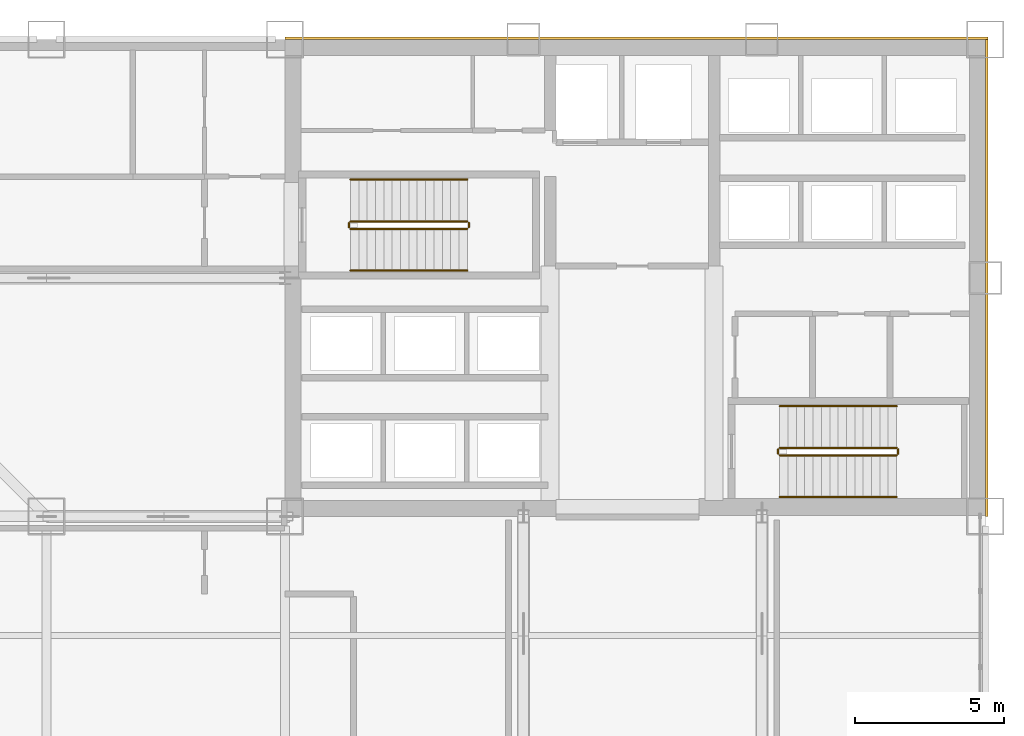
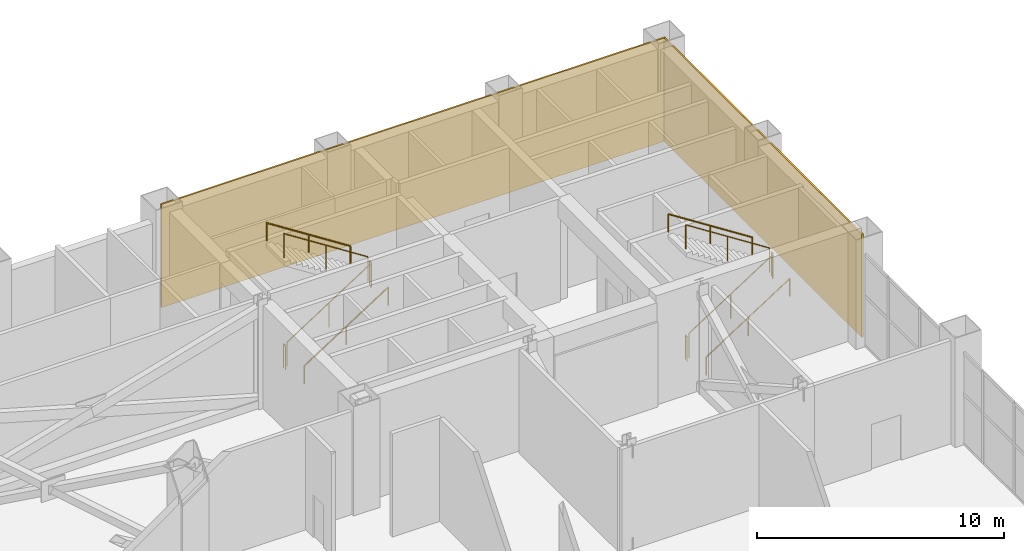
# One storey, part 26 of 26: 12 railings, 2 coverings.
"""IFC4 building model written with IfcOpenShell, lengths in metres."""

import ifcopenshell
import ifcopenshell.guid

model = None  # the IFC model being written
_history = None  # IfcOwnerHistory: only IFC2X3 demands one
_inside = {}  # id of a spatial element -> (the spatial element, [elements in it])
_under = {}  # id of a project, library or spatial element -> (it, [spatial elements below it])
_declared = {}  # id of a project -> (the project, [libraries it declares])
_typed = {}  # id of a type object -> (the type object, [elements of that type])
_made_of = {}  # id of a material, layer set ... -> (it, [elements and type objects made of it])


def new_model(schema):
    """Start an empty IFC model of exactly this schema.

    Asked for "IFC4X3", IfcOpenShell would pick the latest addendum, in which some entities
    have other attributes; the version numbers below select the first issue.
    IFC2X3 requires an IfcOwnerHistory on every rooted entity: one is made here for all.
    """
    global model, _history
    if schema == "IFC4X3":
        model = ifcopenshell.file(schema_version=(4, 3, 0, 0))
    else:
        model = ifcopenshell.file(schema=schema)
    _inside.clear()
    _under.clear()
    _declared.clear()
    _typed.clear()
    _made_of.clear()
    _history = None
    if model.schema == "IFC2X3":
        org = make("IfcOrganization", Name="unknown")
        user = make(
            "IfcPersonAndOrganization",
            ThePerson=make("IfcPerson", FamilyName="unknown"),
            TheOrganization=org,
        )
        app = make(
            "IfcApplication",
            ApplicationDeveloper=org,
            Version="unknown",
            ApplicationFullName="unknown",
            ApplicationIdentifier="unknown",
        )
        _history = make(
            "IfcOwnerHistory",
            OwningUser=user,
            OwningApplication=app,
            ChangeAction="ADDED",
            CreationDate=0,
        )
    return model


def make(cls, **values):
    """One entity of the class cls with the attributes given. An attribute that is None is left unset."""
    return model.create_entity(
        cls, **{name: value for name, value in values.items() if value is not None}
    )


def rooted(cls, **values):
    """An entity with a GlobalId (a new one), such as an element, a storey or a relation."""
    return make(cls, GlobalId=ifcopenshell.guid.new(), OwnerHistory=_history, **values)


def si_unit(unit_type, name, prefix=None):
    """IfcSIUnit, for example si_unit("LENGTHUNIT", "METRE", prefix="MILLI")."""
    return make("IfcSIUnit", UnitType=unit_type, Prefix=prefix, Name=name)


def assignment(units):
    """IfcUnitAssignment: the units of a project."""
    return None if units is None else make("IfcUnitAssignment", Units=units)


def point(xyz):
    """IfcCartesianPoint."""
    return None if xyz is None else make("IfcCartesianPoint", Coordinates=xyz)


def direction(xyz):
    """IfcDirection."""
    return None if xyz is None else make("IfcDirection", DirectionRatios=xyz)


def frame(location, z_axis=None, x_axis=None):
    """IfcAxis2Placement3D, a coordinate frame: its origin and axes. An axis left out is left unset."""
    return make(
        "IfcAxis2Placement3D",
        Location=point(location),
        Axis=direction(z_axis),
        RefDirection=direction(x_axis),
    )


def frame_2d(location, x_axis=None):
    """IfcAxis2Placement2D, a coordinate frame in the plane: its origin and x axis."""
    return make(
        "IfcAxis2Placement2D", Location=point(location), RefDirection=direction(x_axis)
    )


def origin():
    """The frame at (0, 0, 0) with its axes left unset."""
    return frame((0.0, 0.0, 0.0))


def origin_2d():
    """The frame at (0, 0) in the plane with its x axis left unset."""
    return frame_2d((0.0, 0.0))


def place(relative_to, where):
    """IfcLocalPlacement: puts the frame where relative to a parent placement (None: the world)."""
    return make(
        "IfcLocalPlacement", PlacementRelTo=relative_to, RelativePlacement=where
    )


def context(
    kind, dimensions, precision=None, world=None, true_north=None, identifier=None
):
    """IfcGeometricRepresentationContext, for example the 3D "Model" context."""
    return make(
        "IfcGeometricRepresentationContext",
        ContextIdentifier=identifier,
        ContextType=kind,
        CoordinateSpaceDimension=dimensions,
        Precision=precision,
        WorldCoordinateSystem=world,
        TrueNorth=true_north,
    )


def subcontext(parent, identifier, kind, view, scale=None):
    """IfcGeometricRepresentationSubContext, for example "Body" below "Model"."""
    return make(
        "IfcGeometricRepresentationSubContext",
        ContextIdentifier=identifier,
        ContextType=kind,
        ParentContext=parent,
        TargetScale=scale,
        TargetView=view,
    )


def project(units=None, contexts=None):
    """IfcProject with its units and contexts."""
    return rooted(
        "IfcProject",
        Name="project",
        RepresentationContexts=contexts,
        UnitsInContext=assignment(units),
    )


def spatial(cls, under=None, at=None, **own):
    """A site, building, storey or space (cls), placed at a placement, below another one or the project."""
    s = rooted(cls, ObjectPlacement=at, **own)
    if under is not None:
        _under.setdefault(under.id(), (under, []))[1].append(s)
    return s


def profile(cls, at=None, kind="AREA", **sizes):
    """A parametric profile (cls). Its sizes go by their IFC names, for example OverallWidth=200.0."""
    return make(cls, ProfileType=kind, Position=at, **sizes)


def rectangle(**sizes):
    """IfcRectangleProfileDef."""
    return profile("IfcRectangleProfileDef", **sizes)


def circle(**sizes):
    """IfcCircleProfileDef."""
    return profile("IfcCircleProfileDef", **sizes)


def extrude(swept, where, along, depth):
    """IfcExtrudedAreaSolid: the profile swept, set in the frame where, extruded along a direction by depth."""
    return make(
        "IfcExtrudedAreaSolid",
        SweptArea=swept,
        Position=where,
        ExtrudedDirection=direction(along),
        Depth=depth,
    )


def shape(context_of_items, identifier, shape_type, items):
    """IfcShapeRepresentation: the items that make up one representation, for example the "Body"."""
    return make(
        "IfcShapeRepresentation",
        ContextOfItems=context_of_items,
        RepresentationIdentifier=identifier,
        RepresentationType=shape_type,
        Items=items,
    )


def material(Name=None, Category=None):
    """IfcMaterial."""
    return make("IfcMaterial", Name=Name, Category=Category)


def layer(
    of_material, thickness, ventilated=None, Name=None, Category=None, Priority=None
):
    """IfcMaterialLayer: one layer of a wall or slab, of a material (None: an air gap)."""
    return make(
        "IfcMaterialLayer",
        Material=of_material,
        LayerThickness=thickness,
        IsVentilated=ventilated,
        Name=Name,
        Category=Category,
        Priority=Priority,
    )


def layer_set(layers, Name=None):
    """IfcMaterialLayerSet."""
    return make("IfcMaterialLayerSet", MaterialLayers=layers, LayerSetName=Name)


def made_of(thing, what):
    """Note that an element or type object is made of a material, layer set ...; save() writes the relation."""
    if what is not None:
        _made_of.setdefault(what.id(), (what, []))[1].append(thing)
    return thing


def type_object(cls, material=None, **own):
    """A type object (cls), such as IfcWallType, which elements share."""
    return made_of(rooted(cls, **own), material)


def element(
    cls,
    number,
    at=None,
    inside=None,
    cuts=None,
    type_object=None,
    material=None,
    context=None,
    identifier="Body",
    shape_type=None,
    held_by="IfcProductDefinitionShape",
    body=None,
    shapes=None,
    **own,
):
    """One element of the class cls, such as IfcWall. Its Tag is "e" and its number.

    at: its placement. inside: the storey or other place that contains it. cuts: it is an
    opening in that element (IfcRelVoidsElement). A single representation is given by context,
    identifier, shape_type and body (its items); several are given by shapes. held_by: the class
    of the entity that holds the representations. save() writes the other relations.
    """
    e = rooted(cls, Tag="e%d" % number, ObjectPlacement=at, **own)
    if body is not None:
        shapes = [shape(context, identifier, shape_type, body)]
    if shapes is not None:
        e.Representation = make(held_by, Representations=shapes)
    if inside is not None:
        _inside.setdefault(inside.id(), (inside, []))[1].append(e)
    if cuts is not None:
        rooted(
            "IfcRelVoidsElement", RelatingBuildingElement=cuts, RelatedOpeningElement=e
        )
    if type_object is not None:
        _typed.setdefault(type_object.id(), (type_object, []))[1].append(e)
    return made_of(e, material)


def aggregate(whole, parts):
    """IfcRelAggregates: a whole, such as a stair, and the parts it consists of."""
    return rooted("IfcRelAggregates", RelatingObject=whole, RelatedObjects=parts)


def save(model, path):
    """Write the relations noted so far, then the file.

    IfcRelAggregates (storeys below a building ...), IfcRelContainedInSpatialStructure (elements
    in a storey), IfcRelDefinesByType, IfcRelAssociatesMaterial and IfcRelDeclares: one each for
    every whole, place, type object, material and project.
    """
    for whole, parts in _under.values():
        aggregate(whole, parts)
    for where, things in _inside.values():
        rooted(
            "IfcRelContainedInSpatialStructure",
            RelatedElements=things,
            RelatingStructure=where,
        )
    for kind, things in _typed.values():
        rooted("IfcRelDefinesByType", RelatedObjects=things, RelatingType=kind)
    for what, things in _made_of.values():
        rooted("IfcRelAssociatesMaterial", RelatedObjects=things, RelatingMaterial=what)
    for by, libraries in _declared.values():
        rooted("IfcRelDeclares", RelatingContext=by, RelatedDefinitions=libraries)
    model.write(path)


model = new_model("IFC4")

# Units and contexts
model_context = context("Model", 3, precision=1e-05, world=origin(), true_north=direction((0.0, 1.0)))
body_context = subcontext(model_context, "Body", "Model", "MODEL_VIEW")
ifc_project = project(units=[si_unit("LENGTHUNIT", "METRE"), si_unit("AREAUNIT", "SQUARE_METRE"), si_unit("VOLUMEUNIT", "CUBIC_METRE"), si_unit("PLANEANGLEUNIT", "RADIAN"), si_unit("MASSUNIT", "GRAM", prefix="KILO")], contexts=[model_context])

# Site, building, storey
site_placement = place(None, origin())
site = spatial("IfcSite", under=ifc_project, at=site_placement, CompositionType="ELEMENT")
building_placement = place(site_placement, origin())
building = spatial("IfcBuilding", under=site, at=building_placement, Name="Qianrong Seaharbour Tower", CompositionType="ELEMENT")
storey_placement = place(building_placement, frame((0.0, 0.0, 108.199951171875)))
storey = spatial("IfcBuildingStorey", under=building, at=storey_placement, Name="L26", CompositionType="ELEMENT", Elevation=108.199951171875)

# Coverings
ifc_material_1 = material(Name="Unitised red brick cladding on Precast concrete C45/55", Category="masonry")
ifc_layer = layer(ifc_material_1, 0.080078125)
ifc_layer_set = layer_set([ifc_layer], Name="Unitised red brick cladding on Precast concrete C45/55")
covering_type = type_object("IfcCoveringType", Name="COV-CLAD-RED-BRICK-80", PredefinedType="CLADDING", material=ifc_layer_set)
covering_1_placement = place(storey_placement, frame((52.2900390625, 52.0400390625, 0.0), z_axis=(0.0, 0.0, 1.0), x_axis=(1.0, 0.0, 0.0)))
element("IfcCovering", 1, at=covering_1_placement, inside=storey, type_object=covering_type, Name="L26 North Core Brick Veneer Cladding", PredefinedType="CLADDING", context=body_context, shape_type="SweptSolid", body=[
    extrude(rectangle(XDim=23.580078125, YDim=0.080078125, at=origin_2d()), origin(), (0.0, 0.0, 1.0), 5.10009765625),
])
covering_2_placement = place(storey_placement, frame((64.0400390625, 44.0, 0.0), z_axis=(0.0, 0.0, 1.0), x_axis=(1.0, 0.0, 0.0)))
element("IfcCovering", 2, at=covering_2_placement, inside=storey, type_object=covering_type, Name="L26 East Core Brick Veneer Cladding", PredefinedType="CLADDING", context=body_context, shape_type="SweptSolid", body=[
    extrude(rectangle(XDim=0.080078125, YDim=16.0, at=origin_2d()), origin(), (0.0, 0.0, 1.0), 5.10009765625),
])

# Railings
ifc_material_2 = material(Name="Galvanized painted steel SN400B stair guard", Category="steel")
railing_type_1 = type_object("IfcRailingType", Name="RAIL-STAIR-GUARD-1220", PredefinedType="GUARDRAIL", material=ifc_material_2)
railing_1_placement = place(storey_placement, frame((42.699951171875, 45.64990234375, 0.179931640625)))
element("IfcRailing", 3, at=railing_1_placement, inside=storey, type_object=railing_type_1, Name="L26 ST-1 stair guard 1", PredefinedType="GUARDRAIL", context=body_context, shape_type="SweptSolid", body=[
    extrude(circle(Radius=0.02392578125, at=origin_2d()), frame((0.0, 0.0, 1.19580078125), z_axis=(0.841186985886, 0.0, 0.540744352514), x_axis=(0.0, 1.0, 0.0)), (0.0, 0.0, 1.0), 4.660400390625),
    extrude(circle(Radius=0.02099609375, at=origin_2d()), origin(), (0.0, 0.0, 1.0), 1.171875),
    extrude(circle(Radius=0.02099609375, at=origin_2d()), frame((1.9599609375, 0.0, 1.260009765625)), (0.0, 0.0, 1.0), 1.171875),
    extrude(circle(Radius=0.02099609375, at=origin_2d()), frame((3.920166015625, 0.0, 2.52001953125)), (0.0, 0.0, 1.0), 1.171875),
])
railing_2_placement = place(storey_placement, frame((46.669921875, 45.699951171875, 2.699951171875)))
element("IfcRailing", 4, at=railing_2_placement, inside=storey, type_object=railing_type_1, Name="L26 ST-1 stair guard 2", PredefinedType="GUARDRAIL", context=body_context, shape_type="SweptSolid", body=[
    extrude(circle(Radius=0.02392578125, at=origin_2d()), frame((0.0, 0.0, 1.19580078125), z_axis=(0.0, 1.0, 0.0), x_axis=(-1.0, 0.0, 0.0)), (0.0, 0.0, 1.0), 0.150146484375),
    extrude(circle(Radius=0.02099609375, at=origin_2d()), origin(), (0.0, 0.0, 1.0), 1.171875),
    extrude(circle(Radius=0.02099609375, at=origin_2d()), frame((0.0, 0.150146484375, 0.0)), (0.0, 0.0, 1.0), 1.171875),
])
railing_3_placement = place(storey_placement, frame((46.6201171875, 45.89990234375, 2.880126953125)))
element("IfcRailing", 5, at=railing_3_placement, inside=storey, type_object=railing_type_1, Name="L26 ST-1 stair guard 3", PredefinedType="GUARDRAIL", context=body_context, shape_type="SweptSolid", body=[
    extrude(circle(Radius=0.02392578125, at=origin_2d()), frame((0.0, 0.0, 1.19580078125), z_axis=(-0.841186985886, 0.0, 0.540744352514), x_axis=(0.0, -1.0, 0.0)), (0.0, 0.0, 1.0), 4.660400390625),
    extrude(circle(Radius=0.02099609375, at=origin_2d()), origin(), (0.0, 0.0, 1.0), 1.171875),
    extrude(circle(Radius=0.02099609375, at=origin_2d()), frame((-1.9599609375, 0.0, 1.260009765625)), (0.0, 0.0, 1.0), 1.171875),
    extrude(circle(Radius=0.02099609375, at=origin_2d()), frame((-3.920166015625, 0.0, 2.52001953125)), (0.0, 0.0, 1.0), 1.171875),
])
railing_4_placement = place(storey_placement, frame((42.64990234375, 45.699951171875, 0.0)))
element("IfcRailing", 6, at=railing_4_placement, inside=storey, type_object=railing_type_1, Name="L26 ST-1 stair guard 4", PredefinedType="GUARDRAIL", context=body_context, shape_type="SweptSolid", body=[
    extrude(circle(Radius=0.02392578125, at=origin_2d()), frame((0.0, 0.0, 1.19580078125), z_axis=(0.0, 1.0, 0.0), x_axis=(-1.0, 0.0, 0.0)), (0.0, 0.0, 1.0), 0.150146484375),
    extrude(circle(Radius=0.02099609375, at=origin_2d()), origin(), (0.0, 0.0, 1.0), 1.171875),
    extrude(circle(Radius=0.02099609375, at=origin_2d()), frame((0.0, 0.150146484375, 0.0)), (0.0, 0.0, 1.0), 1.171875),
])
railing_5_placement = place(storey_placement, frame((57.10009765625, 38.050048828125, 0.179931640625)))
element("IfcRailing", 7, at=railing_5_placement, inside=storey, type_object=railing_type_1, Name="L26 ST-2 stair guard 1", PredefinedType="GUARDRAIL", context=body_context, shape_type="SweptSolid", body=[
    extrude(circle(Radius=0.02392578125, at=origin_2d()), frame((0.0, 0.0, 1.19580078125), z_axis=(0.841171666519, 0.0, 0.540768182723), x_axis=(0.0, 1.0, 0.0)), (0.0, 0.0, 1.0), 4.66015625),
    extrude(circle(Radius=0.02099609375, at=origin_2d()), origin(), (0.0, 0.0, 1.0), 1.171875),
    extrude(circle(Radius=0.02099609375, at=origin_2d()), frame((1.9599609375, 0.0, 1.260009765625)), (0.0, 0.0, 1.0), 1.171875),
    extrude(circle(Radius=0.02099609375, at=origin_2d()), frame((3.919921875, 0.0, 2.52001953125)), (0.0, 0.0, 1.0), 1.171875),
])
railing_6_placement = place(storey_placement, frame((61.070068359375, 38.10009765625, 2.699951171875)))
element("IfcRailing", 8, at=railing_6_placement, inside=storey, type_object=railing_type_1, Name="L26 ST-2 stair guard 2", PredefinedType="GUARDRAIL", context=body_context, shape_type="SweptSolid", body=[
    extrude(circle(Radius=0.02392578125, at=origin_2d()), frame((0.0, 0.0, 1.19580078125), z_axis=(0.0, 1.0, 0.0), x_axis=(-1.0, 0.0, 0.0)), (0.0, 0.0, 1.0), 0.14990234375),
    extrude(circle(Radius=0.02099609375, at=origin_2d()), origin(), (0.0, 0.0, 1.0), 1.171875),
    extrude(circle(Radius=0.02099609375, at=origin_2d()), frame((0.0, 0.14990234375, 0.0)), (0.0, 0.0, 1.0), 1.171875),
])
railing_7_placement = place(storey_placement, frame((61.02001953125, 38.300048828125, 2.880126953125)))
element("IfcRailing", 9, at=railing_7_placement, inside=storey, type_object=railing_type_1, Name="L26 ST-2 stair guard 3", PredefinedType="GUARDRAIL", context=body_context, shape_type="SweptSolid", body=[
    extrude(circle(Radius=0.02392578125, at=origin_2d()), frame((0.0, 0.0, 1.19580078125), z_axis=(-0.841171666519, 0.0, 0.540768182723), x_axis=(0.0, -1.0, 0.0)), (0.0, 0.0, 1.0), 4.66015625),
    extrude(circle(Radius=0.02099609375, at=origin_2d()), origin(), (0.0, 0.0, 1.0), 1.171875),
    extrude(circle(Radius=0.02099609375, at=origin_2d()), frame((-1.9599609375, 0.0, 1.260009765625)), (0.0, 0.0, 1.0), 1.171875),
    extrude(circle(Radius=0.02099609375, at=origin_2d()), frame((-3.919921875, 0.0, 2.52001953125)), (0.0, 0.0, 1.0), 1.171875),
])
railing_8_placement = place(storey_placement, frame((57.050048828125, 38.10009765625, 0.0)))
element("IfcRailing", 10, at=railing_8_placement, inside=storey, type_object=railing_type_1, Name="L26 ST-2 stair guard 4", PredefinedType="GUARDRAIL", context=body_context, shape_type="SweptSolid", body=[
    extrude(circle(Radius=0.02392578125, at=origin_2d()), frame((0.0, 0.0, 1.19580078125), z_axis=(0.0, 1.0, 0.0), x_axis=(-1.0, 0.0, 0.0)), (0.0, 0.0, 1.0), 0.14990234375),
    extrude(circle(Radius=0.02099609375, at=origin_2d()), origin(), (0.0, 0.0, 1.0), 1.171875),
    extrude(circle(Radius=0.02099609375, at=origin_2d()), frame((0.0, 0.14990234375, 0.0)), (0.0, 0.0, 1.0), 1.171875),
])
ifc_material_3 = material(Name="Stainless steel SUS316L continuous handrail", Category="steel")
railing_type_2 = type_object("IfcRailingType", Name="RAIL-STAIR-HANDRAIL-900", PredefinedType="HANDRAIL", material=ifc_material_3)
railing_9_placement = place(storey_placement, frame((42.699951171875, 44.25, 0.179931640625)))
element("IfcRailing", 11, at=railing_9_placement, inside=storey, type_object=railing_type_2, Name="L26 ST-1 stair handrail 1", PredefinedType="HANDRAIL", context=body_context, shape_type="SweptSolid", body=[
    extrude(circle(Radius=0.02392578125, at=origin_2d()), frame((0.0, 0.0, 0.8759765625), z_axis=(0.841186985886, 0.0, 0.540744352514), x_axis=(0.0, 1.0, 0.0)), (0.0, 0.0, 1.0), 4.660400390625),
    extrude(circle(Radius=0.02099609375, at=origin_2d()), origin(), (0.0, 0.0, 1.0), 0.851806640625),
    extrude(circle(Radius=0.02099609375, at=origin_2d()), frame((1.9599609375, 0.0, 1.260009765625)), (0.0, 0.0, 1.0), 0.851806640625),
    extrude(circle(Radius=0.02099609375, at=origin_2d()), frame((3.920166015625, 0.0, 2.52001953125)), (0.0, 0.0, 1.0), 0.851806640625),
])
railing_10_placement = place(storey_placement, frame((46.6201171875, 47.300048828125, 2.880126953125)))
element("IfcRailing", 12, at=railing_10_placement, inside=storey, type_object=railing_type_2, Name="L26 ST-1 stair handrail 2", PredefinedType="HANDRAIL", context=body_context, shape_type="SweptSolid", body=[
    extrude(circle(Radius=0.02392578125, at=origin_2d()), frame((0.0, 0.0, 0.8759765625), z_axis=(-0.841186985886, 0.0, 0.540744352514), x_axis=(0.0, -1.0, 0.0)), (0.0, 0.0, 1.0), 4.660400390625),
    extrude(circle(Radius=0.02099609375, at=origin_2d()), origin(), (0.0, 0.0, 1.0), 0.851806640625),
    extrude(circle(Radius=0.02099609375, at=origin_2d()), frame((-1.9599609375, 0.0, 1.260009765625)), (0.0, 0.0, 1.0), 0.851806640625),
    extrude(circle(Radius=0.02099609375, at=origin_2d()), frame((-3.920166015625, 0.0, 2.52001953125)), (0.0, 0.0, 1.0), 0.851806640625),
])
railing_11_placement = place(storey_placement, frame((57.10009765625, 36.64990234375, 0.179931640625)))
element("IfcRailing", 13, at=railing_11_placement, inside=storey, type_object=railing_type_2, Name="L26 ST-2 stair handrail 1", PredefinedType="HANDRAIL", context=body_context, shape_type="SweptSolid", body=[
    extrude(circle(Radius=0.02392578125, at=origin_2d()), frame((0.0, 0.0, 0.8759765625), z_axis=(0.841171666519, 0.0, 0.540768182723), x_axis=(0.0, 1.0, 0.0)), (0.0, 0.0, 1.0), 4.66015625),
    extrude(circle(Radius=0.02099609375, at=origin_2d()), origin(), (0.0, 0.0, 1.0), 0.851806640625),
    extrude(circle(Radius=0.02099609375, at=origin_2d()), frame((1.9599609375, 0.0, 1.260009765625)), (0.0, 0.0, 1.0), 0.851806640625),
    extrude(circle(Radius=0.02099609375, at=origin_2d()), frame((3.919921875, 0.0, 2.52001953125)), (0.0, 0.0, 1.0), 0.851806640625),
])
railing_12_placement = place(storey_placement, frame((61.02001953125, 39.699951171875, 2.880126953125)))
element("IfcRailing", 14, at=railing_12_placement, inside=storey, type_object=railing_type_2, Name="L26 ST-2 stair handrail 2", PredefinedType="HANDRAIL", context=body_context, shape_type="SweptSolid", body=[
    extrude(circle(Radius=0.02392578125, at=origin_2d()), frame((0.0, 0.0, 0.8759765625), z_axis=(-0.841171666519, 0.0, 0.540768182723), x_axis=(0.0, -1.0, 0.0)), (0.0, 0.0, 1.0), 4.66015625),
    extrude(circle(Radius=0.02099609375, at=origin_2d()), origin(), (0.0, 0.0, 1.0), 0.851806640625),
    extrude(circle(Radius=0.02099609375, at=origin_2d()), frame((-1.9599609375, 0.0, 1.260009765625)), (0.0, 0.0, 1.0), 0.851806640625),
    extrude(circle(Radius=0.02099609375, at=origin_2d()), frame((-3.919921875, 0.0, 2.52001953125)), (0.0, 0.0, 1.0), 0.851806640625),
])

save(model, "model.ifc")
